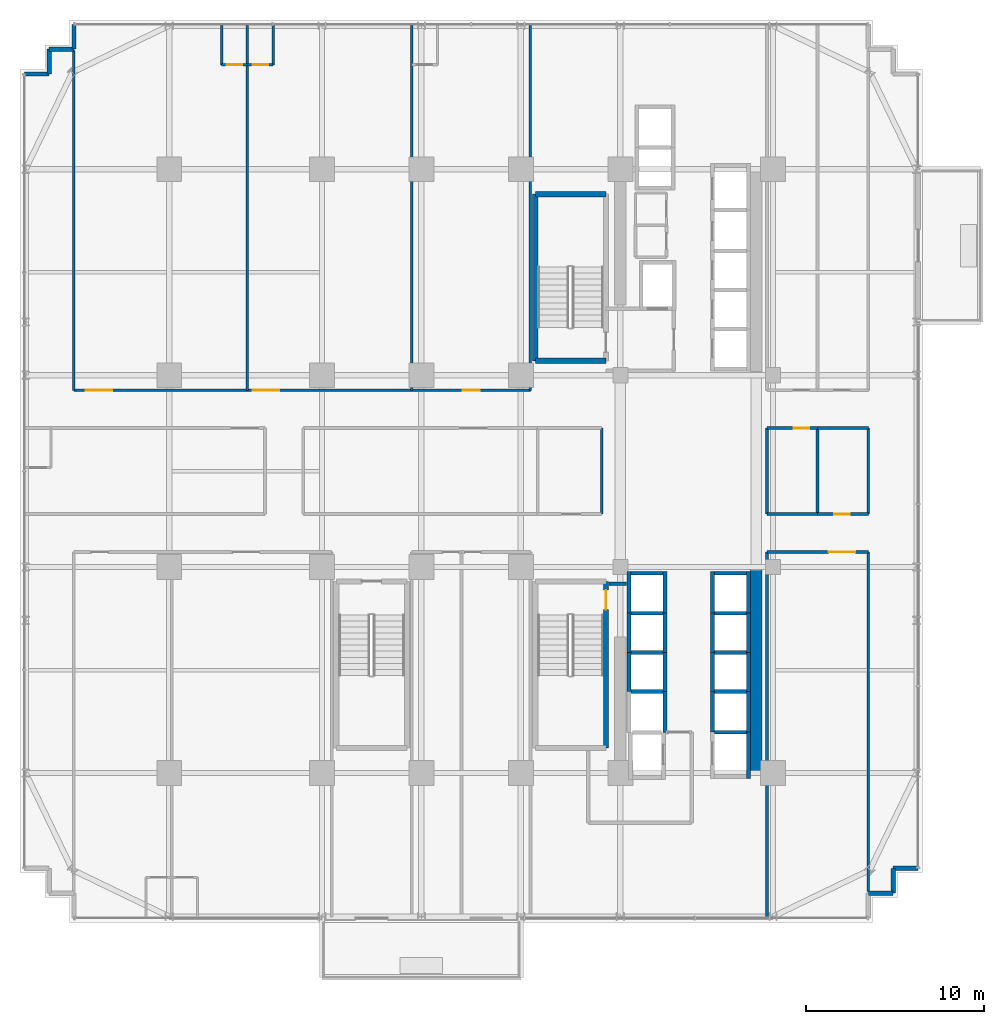
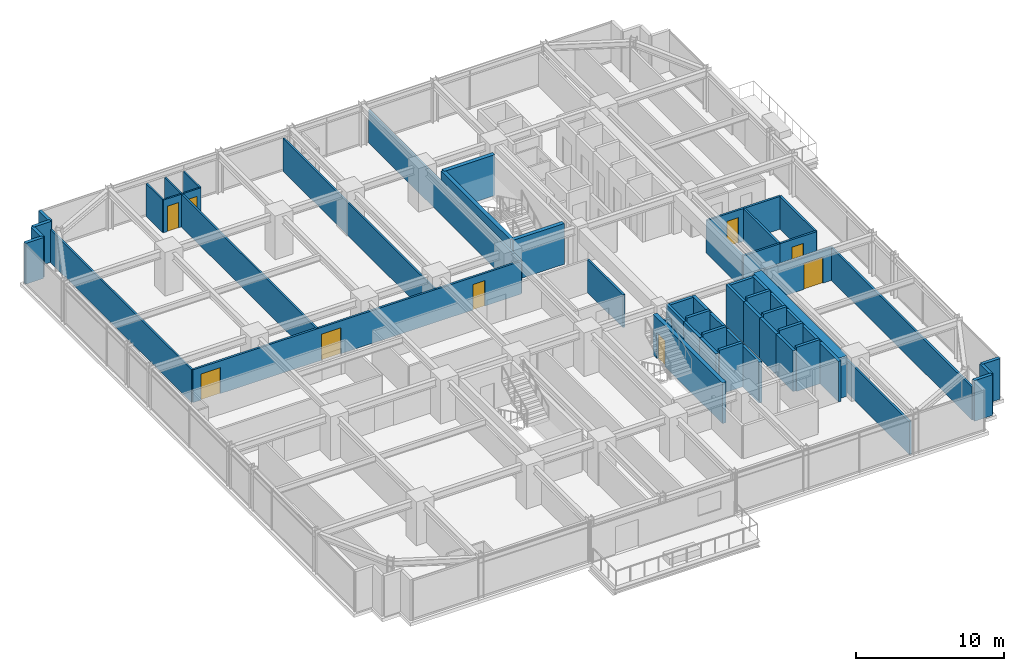
# One storey, part 31 of 36: 58 walls, 9 doors, 9 openings.
"""IFC4 building model written with IfcOpenShell, lengths in metres."""

from ifc_helpers import new_model, si_unit, direction, frame, frame_2d, origin, place, context, subcontext, project, spatial, rectangle, extrude, source, transform, mapped, material, layer, layer_set, type_object, element, fill, save


model = new_model("IFC4")

# Units and contexts
model_context = context("Model", 3, precision=1e-05, world=origin(), true_north=direction((0.0, 1.0)))
body_context = subcontext(model_context, "Body", "Model", "MODEL_VIEW")
ifc_project = project(units=[si_unit("LENGTHUNIT", "METRE"), si_unit("AREAUNIT", "SQUARE_METRE"), si_unit("VOLUMEUNIT", "CUBIC_METRE"), si_unit("PLANEANGLEUNIT", "RADIAN"), si_unit("MASSUNIT", "GRAM", prefix="KILO")], contexts=[model_context])

# Site, building, storey
site_placement = place(None, origin())
site = spatial("IfcSite", under=ifc_project, at=site_placement, CompositionType="ELEMENT")
building_placement = place(site_placement, origin())
building = spatial("IfcBuilding", under=site, at=building_placement, Name="Nahalor Promenade Grand Hotel", CompositionType="ELEMENT")
storey_placement = place(building_placement, frame((0.0, 0.0, 72.550048828125)))
storey = spatial("IfcBuildingStorey", under=building, at=storey_placement, Name="L17", CompositionType="ELEMENT", Elevation=72.550048828125)

# Walls
ifc_material_1 = material(Name="Concrete B-60 (C50/60)", Category="concrete")
ifc_layer_1 = layer(ifc_material_1, 0.64990234375)
ifc_layer_set_1 = layer_set([ifc_layer_1], Name="Concrete B-60 (C50/60)")
wall_type_1 = type_object("IfcWallType", Name="Wall-CoreShear-650", PredefinedType="SHEAR", material=ifc_layer_set_1)
shared_shape_1 = source(origin(), body_context, "Body", "SweptSolid", [
    extrude(rectangle(XDim=11.60009765625, YDim=0.64990234375, at=frame_2d((5.800048828125, 0.0))), origin(), (0.0, 0.0, 1.0), 3.369873046875),
])
wall_1_placement = place(storey_placement, frame((16.050048828125, -17.0, 0.0), z_axis=(0.0, 0.0, 1.0), x_axis=(0.0, 1.0, 0.0)))
element("IfcWall", 1, at=wall_1_placement, inside=storey, type_object=wall_type_1, Name="CWALL-L17-SE", PredefinedType="SHEAR", context=body_context, shape_type="MappedRepresentation", body=[
    mapped(shared_shape_1, transform((0.0, 0.0, 0.0), scale=1.0)),
])
ifc_material_2 = material(Name="Concrete B-50 (C40/50)", Category="concrete")
ifc_layer_2 = layer(ifc_material_2, 0.300048828125)
ifc_layer_set_2 = layer_set([ifc_layer_2], Name="Concrete B-50 (C40/50)")
wall_type_2 = type_object("IfcWallType", Name="Wall-ShaftShear-300", PredefinedType="SHEAR", material=ifc_layer_set_2)
shared_shape_2 = source(origin(), body_context, "Body", "SweptSolid", [
    extrude(rectangle(XDim=3.97998046875, YDim=0.300048828125, at=frame_2d((1.989990234375, 0.0))), origin(), (0.0, 0.0, 1.0), 3.369873046875),
])
for number, where, z_axis, x_axis, name in (
    (2, (3.610107421875, 6.2099609375, 0.0), (0.0, 0.0, 1.0), (1.0, 0.0, 0.0), "L17 Exit Stair ST1 Shaft Wall S"),
    (3, (3.610107421875, 15.590087890625, 0.0), (0.0, 0.0, 1.0), (1.0, 0.0, 0.0), "L17 Exit Stair ST1 Shaft Wall N"),
):
    element("IfcWall", number, at=place(storey_placement, frame(where, z_axis=z_axis, x_axis=x_axis)), inside=storey, type_object=wall_type_2, Name=name, PredefinedType="SHEAR", context=body_context, shape_type="MappedRepresentation", body=[
        mapped(shared_shape_2, transform((0.0, 0.0, 0.0), scale=1.0)),
    ])
shared_shape_3 = source(origin(), body_context, "Body", "SweptSolid", [
    extrude(rectangle(XDim=9.380126953125, YDim=0.300048828125, at=frame_2d((4.68994140625, 0.0))), origin(), (0.0, 0.0, 1.0), 3.369873046875),
])
wall_2_placement = place(storey_placement, frame((3.610107421875, 6.2099609375, 0.0), z_axis=(0.0, 0.0, 1.0), x_axis=(0.0, 1.0, 0.0)))
element("IfcWall", 4, at=wall_2_placement, inside=storey, type_object=wall_type_2, Name="L17 Exit Stair ST1 Shaft Wall W", PredefinedType="SHEAR", context=body_context, shape_type="MappedRepresentation", body=[
    mapped(shared_shape_3, transform((0.0, 0.0, 0.0), scale=1.0)),
])

# Wall, opening, door
wall_3_placement = place(storey_placement, frame((7.590087890625, -15.590087890625, 0.0), z_axis=(0.0, 0.0, 1.0), x_axis=(0.0, 1.0, 0.0)))
wall_3 = element("IfcWall", 5, at=wall_3_placement, inside=storey, type_object=wall_type_2, Name="L17 Exit Stair ST2 Shaft Wall E", PredefinedType="SHEAR", context=body_context, shape_type="MappedRepresentation", body=[
    mapped(shared_shape_3, transform((0.0, 0.0, 0.0), scale=1.0)),
])
opening_1_placement = place(wall_3_placement, frame((7.7900390625, 0.0, 0.0)))
opening_1 = element("IfcOpeningElement", 6, at=opening_1_placement, cuts=wall_3, Name="Opening D-ST1", PredefinedType="OPENING", context=body_context, shape_type="SweptSolid", body=[
    extrude(rectangle(XDim=1.10009765625, YDim=2.14990234375, at=frame_2d((0.550048828125, 1.074951171875))), frame((0.0, 0.159912109375, 0.0), z_axis=(0.0, -1.0, 0.0), x_axis=(1.0, 0.0, 0.0)), (0.0, 0.0, 1.0), 0.320068359375),
])
ifc_material_3 = material(Name="Steel S355JR", Category="steel")
door_type_1 = type_object("IfcDoorType", Name="Door-StairFire-1100", OperationType="NOTDEFINED", PredefinedType="DOOR", material=ifc_material_3)
shared_shape_4 = source(origin(), body_context, "Body", "SweptSolid", [
    extrude(rectangle(XDim=1.10009765625, YDim=2.14990234375, at=frame_2d((0.550048828125, 1.074951171875))), frame((0.0, 0.02490234375, 0.0), z_axis=(0.0, -1.0, 0.0), x_axis=(1.0, 0.0, 0.0)), (0.0, 0.0, 1.0), 0.050048828125),
])
door_1_placement = place(opening_1_placement, origin())
door_1 = element("IfcDoor", 7, at=door_1_placement, inside=storey, type_object=door_type_1, Name="DR-STAIR-ST2-L17", OperationType="SINGLE_SWING_RIGHT", OverallHeight=2.14990234375, OverallWidth=1.10009765625, PredefinedType="DOOR", context=body_context, shape_type="MappedRepresentation", body=[
    mapped(shared_shape_4, transform((0.0, 0.0, 0.0), scale=1.0)),
])
fill(opening_1, door_1)

# Walls
ifc_layer_3 = layer(ifc_material_2, 0.219970703125)
ifc_layer_set_3 = layer_set([ifc_layer_3], Name="Concrete B-50 (C40/50)")
wall_type_3 = type_object("IfcWallType", Name="Wall-LiftShaft-220", PredefinedType="SHEAR", material=ifc_layer_set_3)
shared_shape_5 = source(origin(), body_context, "Body", "SweptSolid", [
    extrude(rectangle(XDim=2.360107421875, YDim=0.219970703125, at=frame_2d((1.18017578125, 0.0))), origin(), (0.0, 0.0, 1.0), 3.369873046875),
])
for number, where, z_axis, x_axis, name in (
    (8, (13.580078125, -8.0, 0.0), (0.0, 0.0, 1.0), (0.0, 1.0, 0.0), "L17 Lift PL5 Hoistway Wall W"),
    (9, (15.6201171875, -8.0, 0.0), (0.0, 0.0, 1.0), (0.0, 1.0, 0.0), "L17 Lift PL5 Hoistway Wall E"),
    (10, (8.8798828125, -8.0, 0.0), (0.0, 0.0, 1.0), (0.0, 1.0, 0.0), "L17 Lift PL9 Hoistway Wall W"),
    (11, (10.919921875, -8.0, 0.0), (0.0, 0.0, 1.0), (0.0, 1.0, 0.0), "L17 Lift PL9 Hoistway Wall E"),
):
    element("IfcWall", number, at=place(storey_placement, frame(where, z_axis=z_axis, x_axis=x_axis)), inside=storey, type_object=wall_type_3, Name=name, PredefinedType="SHEAR", context=body_context, shape_type="MappedRepresentation", body=[
        mapped(shared_shape_5, transform((0.0, 0.0, 0.0), scale=1.0)),
    ])
shared_shape_6 = source(origin(), body_context, "Body", "SweptSolid", [
    extrude(rectangle(XDim=1.820068359375, YDim=0.219970703125, at=frame_2d((0.91015625, 0.0))), origin(), (0.0, 0.0, 1.0), 3.369873046875),
])
for number, where, z_axis, x_axis, name in (
    (12, (13.68994140625, -5.75, 0.0), (0.0, 0.0, 1.0), (1.0, 0.0, 0.0), "L17 Lift PL5 Hoistway Wall N"),
    (13, (8.989990234375, -5.75, 0.0), (0.0, 0.0, 1.0), (1.0, 0.0, 0.0), "L17 Lift PL9 Hoistway Wall N"),
):
    element("IfcWall", number, at=place(storey_placement, frame(where, z_axis=z_axis, x_axis=x_axis)), inside=storey, type_object=wall_type_3, Name=name, PredefinedType="SHEAR", context=body_context, shape_type="MappedRepresentation", body=[
        mapped(shared_shape_6, transform((0.0, 0.0, 0.0), scale=1.0)),
    ])
shared_shape_7 = source(origin(), body_context, "Body", "SweptSolid", [
    extrude(rectangle(XDim=1.820068359375, YDim=0.219970703125, at=frame_2d((0.91015625, 0.0))), origin(), (0.0, 0.0, 1.0), 3.64990234375),
])
for number, where, z_axis, x_axis, name in (
    (14, (13.68994140625, -8.0, 0.0), (0.0, 0.0, 1.0), (1.0, 0.0, 0.0), "L17 Lift PL6 Hoistway Wall N"),
    (15, (13.68994140625, -10.199951171875, 0.0), (0.0, 0.0, 1.0), (1.0, 0.0, 0.0), "L17 Lift PL7 Hoistway Wall N"),
    (16, (13.68994140625, -12.39990234375, 0.0), (0.0, 0.0, 1.0), (1.0, 0.0, 0.0), "L17 Lift PL8 Hoistway Wall N"),
    (17, (8.989990234375, -8.0, 0.0), (0.0, 0.0, 1.0), (1.0, 0.0, 0.0), "L17 Lift PL10 Hoistway Wall N"),
    (18, (8.989990234375, -10.199951171875, 0.0), (0.0, 0.0, 1.0), (1.0, 0.0, 0.0), "L17 Lift PL11 Hoistway Wall N"),
    (19, (8.989990234375, -12.39990234375, 0.0), (0.0, 0.0, 1.0), (1.0, 0.0, 0.0), "L17 Lift PL12 Hoistway Wall N"),
    (20, (13.68994140625, -14.699951171875, 0.0), (0.0, 0.0, 1.0), (1.0, 0.0, 0.0), "L17 Lift SV2 Hoistway Wall N"),
):
    element("IfcWall", number, at=place(storey_placement, frame(where, z_axis=z_axis, x_axis=x_axis)), inside=storey, type_object=wall_type_3, Name=name, PredefinedType="SHEAR", context=body_context, shape_type="MappedRepresentation", body=[
        mapped(shared_shape_7, transform((0.0, 0.0, 0.0), scale=1.0)),
    ])
shared_shape_8 = source(origin(), body_context, "Body", "SweptSolid", [
    extrude(rectangle(XDim=2.199951171875, YDim=0.219970703125, at=frame_2d((1.10009765625, 0.0))), origin(), (0.0, 0.0, 1.0), 3.369873046875),
])
for number, where, z_axis, x_axis, name in (
    (21, (13.580078125, -10.199951171875, 0.0), (0.0, 0.0, 1.0), (0.0, 1.0, 0.0), "L17 Lift PL6 Hoistway Wall W"),
    (22, (15.6201171875, -10.199951171875, 0.0), (0.0, 0.0, 1.0), (0.0, 1.0, 0.0), "L17 Lift PL6 Hoistway Wall E"),
    (23, (13.580078125, -12.39990234375, 0.0), (0.0, 0.0, 1.0), (0.0, 1.0, 0.0), "L17 Lift PL7 Hoistway Wall W"),
    (24, (15.6201171875, -12.39990234375, 0.0), (0.0, 0.0, 1.0), (0.0, 1.0, 0.0), "L17 Lift PL7 Hoistway Wall E"),
    (25, (8.8798828125, -10.199951171875, 0.0), (0.0, 0.0, 1.0), (0.0, 1.0, 0.0), "L17 Lift PL10 Hoistway Wall W"),
    (26, (10.919921875, -10.199951171875, 0.0), (0.0, 0.0, 1.0), (0.0, 1.0, 0.0), "L17 Lift PL10 Hoistway Wall E"),
    (27, (8.8798828125, -12.39990234375, 0.0), (0.0, 0.0, 1.0), (0.0, 1.0, 0.0), "L17 Lift PL11 Hoistway Wall W"),
    (28, (10.919921875, -12.39990234375, 0.0), (0.0, 0.0, 1.0), (0.0, 1.0, 0.0), "L17 Lift PL11 Hoistway Wall E"),
):
    element("IfcWall", number, at=place(storey_placement, frame(where, z_axis=z_axis, x_axis=x_axis)), inside=storey, type_object=wall_type_3, Name=name, PredefinedType="SHEAR", context=body_context, shape_type="MappedRepresentation", body=[
        mapped(shared_shape_8, transform((0.0, 0.0, 0.0), scale=1.0)),
    ])
shared_shape_9 = source(origin(), body_context, "Body", "SweptSolid", [
    extrude(rectangle(XDim=2.300048828125, YDim=0.219970703125, at=frame_2d((1.14990234375, 0.0))), origin(), (0.0, 0.0, 1.0), 3.369873046875),
])
for number, where, z_axis, x_axis, name in (
    (29, (13.580078125, -14.699951171875, 0.0), (0.0, 0.0, 1.0), (0.0, 1.0, 0.0), "L17 Lift PL8 Hoistway Wall W"),
    (30, (15.6201171875, -14.699951171875, 0.0), (0.0, 0.0, 1.0), (0.0, 1.0, 0.0), "L17 Lift PL8 Hoistway Wall E"),
):
    element("IfcWall", number, at=place(storey_placement, frame(where, z_axis=z_axis, x_axis=x_axis)), inside=storey, type_object=wall_type_3, Name=name, PredefinedType="SHEAR", context=body_context, shape_type="MappedRepresentation", body=[
        mapped(shared_shape_9, transform((0.0, 0.0, 0.0), scale=1.0)),
    ])
shared_shape_10 = source(origin(), body_context, "Body", "SweptSolid", [
    extrude(rectangle(XDim=2.3251953125, YDim=0.219970703125, at=frame_2d((1.16259765625, 0.0))), origin(), (0.0, 0.0, 1.0), 3.369873046875),
])
wall_4_placement = place(storey_placement, frame((10.919921875, -14.72509765625, 0.0), z_axis=(0.0, 0.0, 1.0), x_axis=(0.0, 1.0, 0.0)))
element("IfcWall", 31, at=wall_4_placement, inside=storey, type_object=wall_type_3, Name="L17 Lift PL12 Hoistway Wall E", PredefinedType="SHEAR", context=body_context, shape_type="MappedRepresentation", body=[
    mapped(shared_shape_10, transform((0.0, 0.0, 0.0), scale=1.0)),
])
shared_shape_11 = source(origin(), body_context, "Body", "SweptSolid", [
    extrude(rectangle(XDim=2.610107421875, YDim=0.219970703125, at=frame_2d((1.30517578125, 0.0))), origin(), (0.0, 0.0, 1.0), 3.369873046875),
])
wall_5_placement = place(storey_placement, frame((15.6201171875, -17.31005859375, 0.0), z_axis=(0.0, 0.0, 1.0), x_axis=(0.0, 1.0, 0.0)))
element("IfcWall", 32, at=wall_5_placement, inside=storey, type_object=wall_type_3, Name="L17 Lift SV2 Hoistway Wall E", PredefinedType="SHEAR", context=body_context, shape_type="MappedRepresentation", body=[
    mapped(shared_shape_11, transform((0.0, 0.0, 0.0), scale=1.0)),
])
ifc_material_4 = material(Name="Concrete B-40 (C32/40)", Category="concrete")
ifc_layer_4 = layer(ifc_material_4, 0.25)
ifc_layer_set_4 = layer_set([ifc_layer_4], Name="Concrete B-40 (C32/40)")
wall_type_4 = type_object("IfcWallType", Name="Wall-BronzePier-250", PredefinedType="STANDARD", material=ifc_layer_set_4)
shared_shape_12 = source(origin(), body_context, "Body", "SweptSolid", [
    extrude(rectangle(XDim=1.39990234375, YDim=0.25, at=frame_2d((0.699951171875, 0.0))), origin(), (0.0, 0.0, 1.0), 3.369873046875),
])
for number, where, z_axis, x_axis, name in (
    (33, (22.360107421875, -23.760009765625, 0.0), (0.0, 0.0, 1.0), (1.0, 0.0, 0.0), "W-L17-SR-02"),
    (34, (23.760009765625, -23.760009765625, 0.0), (0.0, 0.0, 1.0), (0.0, 1.0, 0.0), "W-L17-SR-03"),
    (35, (23.760009765625, -22.360107421875, 0.0), (0.0, 0.0, 1.0), (1.0, 0.0, 0.0), "W-L17-SR-04"),
    (36, (-22.360107421875, 23.760009765625, 0.0), (0.0, 0.0, 1.0), (0.0, 1.0, 0.0), "W-L17-SR-09"),
    (37, (-23.760009765625, 23.760009765625, 0.0), (0.0, 0.0, 1.0), (1.0, 0.0, 0.0), "W-L17-SR-10"),
    (38, (-23.760009765625, 22.360107421875, 0.0), (0.0, 0.0, 1.0), (0.0, 1.0, 0.0), "W-L17-SR-11"),
    (39, (-25.159912109375, 22.360107421875, 0.0), (0.0, 0.0, 1.0), (1.0, 0.0, 0.0), "W-L17-SR-12"),
):
    element("IfcWall", number, at=place(storey_placement, frame(where, z_axis=z_axis, x_axis=x_axis)), inside=storey, type_object=wall_type_4, Name=name, PredefinedType="STANDARD", context=body_context, shape_type="MappedRepresentation", body=[
        mapped(shared_shape_12, transform((0.0, 0.0, 0.0), scale=1.0)),
    ])
ifc_layer_5 = layer(ifc_material_4, 0.199951171875)
ifc_layer_set_5 = layer_set([ifc_layer_5], Name="Concrete B-40 (C32/40)")
wall_type_5 = type_object("IfcWallType", Name="Wall-PartFire-200", PredefinedType="PARTITIONING", material=ifc_layer_set_5)
shared_shape_13 = source(origin(), body_context, "Body", "SweptSolid", [
    extrude(rectangle(XDim=0.969970703125, YDim=0.199951171875, at=frame_2d((0.48486328125, 0.0))), origin(), (0.0, 0.0, 1.0), 2.7099609375),
])
wall_6_placement = place(storey_placement, frame((7.77001953125, -6.35009765625, 0.0), z_axis=(0.0, 0.0, 1.0), x_axis=(1.0, 0.0, 0.0)))
element("IfcWall", 40, at=wall_6_placement, inside=storey, type_object=wall_type_5, Name="W-L17-FF2-N2", PredefinedType="PARTITIONING", context=body_context, shape_type="MappedRepresentation", body=[
    mapped(shared_shape_13, transform((0.0, 0.0, 0.0), scale=1.0)),
])

# Wall, opening, door
ifc_material_5 = material(Name="Acoustic Mineral Gypsum", Category="gypsum")
ifc_layer_6 = layer(ifc_material_5, 0.159912109375)
ifc_layer_set_6 = layer_set([ifc_layer_6], Name="Acoustic Mineral Gypsum")
wall_type_6 = type_object("IfcWallType", Name="Wall-PartCorridor-160", PredefinedType="PARTITIONING", material=ifc_layer_set_6)
shared_shape_14 = source(origin(), body_context, "Body", "SweptSolid", [
    extrude(rectangle(XDim=5.710205078125, YDim=0.159912109375, at=frame_2d((2.85498046875, 0.0))), origin(), (0.0, 0.0, 1.0), 2.7099609375),
])
wall_7_placement = place(storey_placement, frame((16.64990234375, -4.550048828125, 0.0), z_axis=(0.0, 0.0, 1.0), x_axis=(1.0, 0.0, 0.0)))
wall_7 = element("IfcWall", 41, at=wall_7_placement, inside=storey, type_object=wall_type_6, Name="W-L17-ESE-N", PredefinedType="PARTITIONING", context=body_context, shape_type="MappedRepresentation", body=[
    mapped(shared_shape_14, transform((0.0, 0.0, 0.0), scale=1.0)),
])
opening_2_placement = place(wall_7_placement, frame((3.47900390625, 0.0, 0.0)))
opening_2 = element("IfcOpeningElement", 42, at=opening_2_placement, cuts=wall_7, Name="Opening D-02", PredefinedType="OPENING", context=body_context, shape_type="SweptSolid", body=[
    extrude(rectangle(XDim=1.5, YDim=2.14990234375, at=frame_2d((0.75, 1.074951171875))), frame((0.0, 0.08984375, 0.0), z_axis=(0.0, -1.0, 0.0), x_axis=(1.0, 0.0, 0.0)), (0.0, 0.0, 1.0), 0.179931640625),
])
ifc_material_6 = material(Name="Fire-Rated Timber Composite", Category="wood")
door_type_2 = type_object("IfcDoorType", Name="Door-SuiteDouble-1500", OperationType="DOUBLE_DOOR_SINGLE_SWING", PredefinedType="DOOR", material=ifc_material_6)
shared_shape_15 = source(origin(), body_context, "Body", "SweptSolid", [
    extrude(rectangle(XDim=1.5, YDim=2.14990234375, at=frame_2d((0.75, 1.074951171875))), frame((0.0, 0.02490234375, 0.0), z_axis=(0.0, -1.0, 0.0), x_axis=(1.0, 0.0, 0.0)), (0.0, 0.0, 1.0), 0.050048828125),
])
door_2_placement = place(opening_2_placement, frame((1.5, 0.0, 0.0), z_axis=(0.0, 0.0, 1.0), x_axis=(-1.0, 0.0, 0.0)))
door_2 = element("IfcDoor", 43, at=door_2_placement, inside=storey, type_object=door_type_2, Name="DR-L17-ESE", OperationType="DOUBLE_DOOR_SINGLE_SWING", OverallHeight=2.14990234375, OverallWidth=1.5, PredefinedType="DOOR", context=body_context, shape_type="MappedRepresentation", body=[
    mapped(shared_shape_15, transform((0.0, 0.0, 0.0), scale=1.0)),
])
fill(opening_2, door_2)

# Walls
shared_shape_16 = source(origin(), body_context, "Body", "SweptSolid", [
    extrude(rectangle(XDim=20.550048828125, YDim=0.159912109375, at=frame_2d((10.27490234375, 0.0))), origin(), (0.0, 0.0, 1.0), 2.7099609375),
])
wall_8_placement = place(storey_placement, frame((16.64990234375, -25.10009765625, 0.0), z_axis=(0.0, 0.0, 1.0), x_axis=(0.0, 1.0, 0.0)))
element("IfcWall", 44, at=wall_8_placement, inside=storey, type_object=wall_type_6, Name="W-L17-ESE-W", PredefinedType="PARTITIONING", context=body_context, shape_type="MappedRepresentation", body=[
    mapped(shared_shape_16, transform((0.0, 0.0, 0.0), scale=1.0)),
])
shared_shape_17 = source(origin(), body_context, "Body", "SweptSolid", [
    extrude(rectangle(XDim=19.1298828125, YDim=0.159912109375, at=frame_2d((9.56494140625, 0.0))), origin(), (0.0, 0.0, 1.0), 2.7099609375),
])
wall_9_placement = place(storey_placement, frame((22.360107421875, -23.679931640625, 0.0), z_axis=(0.0, 0.0, 1.0), x_axis=(0.0, 1.0, 0.0)))
element("IfcWall", 45, at=wall_9_placement, inside=storey, type_object=wall_type_6, Name="W-L17-ESE-E", PredefinedType="PARTITIONING", context=body_context, shape_type="MappedRepresentation", body=[
    mapped(shared_shape_17, transform((0.0, 0.0, 0.0), scale=1.0)),
])

# Wall, openings, doors
shared_shape_18 = source(origin(), body_context, "Body", "SweptSolid", [
    extrude(rectangle(XDim=25.7001953125, YDim=0.159912109375, at=frame_2d((12.85009765625, 0.0))), origin(), (0.0, 0.0, 1.0), 2.7099609375),
])
wall_10_placement = place(storey_placement, frame((-22.360107421875, 4.550048828125, 0.0), z_axis=(0.0, 0.0, 1.0), x_axis=(1.0, 0.0, 0.0)))
wall_10 = element("IfcWall", 46, at=wall_10_placement, inside=storey, type_object=wall_type_6, Name="W-L17-CORR-N", PredefinedType="PARTITIONING", context=body_context, shape_type="MappedRepresentation", body=[
    mapped(shared_shape_18, transform((0.0, 0.0, 0.0), scale=1.0)),
])
opening_3_placement = place(wall_10_placement, frame((0.652099609375, 0.0, 0.0)))
opening_3 = element("IfcOpeningElement", 47, at=opening_3_placement, cuts=wall_10, Name="Opening D-02", PredefinedType="OPENING", context=body_context, shape_type="SweptSolid", body=[
    extrude(rectangle(XDim=1.5, YDim=2.14990234375, at=frame_2d((0.75, 1.074951171875))), frame((0.0, 0.08984375, 0.0), z_axis=(0.0, -1.0, 0.0), x_axis=(1.0, 0.0, 0.0)), (0.0, 0.0, 1.0), 0.179931640625),
])
opening_4_placement = place(wall_10_placement, frame((10.05908203125, 0.0, 0.0)))
opening_4 = element("IfcOpeningElement", 48, at=opening_4_placement, cuts=wall_10, Name="Opening D-02", PredefinedType="OPENING", context=body_context, shape_type="SweptSolid", body=[
    extrude(rectangle(XDim=1.5, YDim=2.14990234375, at=frame_2d((0.75, 1.074951171875))), frame((0.0, 0.08984375, 0.0), z_axis=(0.0, -1.0, 0.0), x_axis=(1.0, 0.0, 0.0)), (0.0, 0.0, 1.0), 0.179931640625),
])
opening_5_placement = place(wall_10_placement, frame((21.884033203125, 0.0, 0.0)))
opening_5 = element("IfcOpeningElement", 49, at=opening_5_placement, cuts=wall_10, Name="Opening D-01", PredefinedType="OPENING", context=body_context, shape_type="SweptSolid", body=[
    extrude(rectangle(XDim=0.949951171875, YDim=2.10009765625, at=frame_2d((0.47509765625, 1.050048828125))), frame((0.0, 0.08984375, 0.0), z_axis=(0.0, -1.0, 0.0), x_axis=(1.0, 0.0, 0.0)), (0.0, 0.0, 1.0), 0.179931640625),
])
door_3_placement = place(opening_3_placement, origin())
door_3 = element("IfcDoor", 50, at=door_3_placement, inside=storey, type_object=door_type_2, Name="DR-L17-N1-ENT", OperationType="DOUBLE_DOOR_SINGLE_SWING", OverallHeight=2.14990234375, OverallWidth=1.5, PredefinedType="DOOR", context=body_context, shape_type="MappedRepresentation", body=[
    mapped(shared_shape_15, transform((0.0, 0.0, 0.0), scale=1.0)),
])
fill(opening_3, door_3)
door_4_placement = place(opening_4_placement, origin())
door_4 = element("IfcDoor", 51, at=door_4_placement, inside=storey, type_object=door_type_2, Name="DR-L17-N2-ENT", OperationType="DOUBLE_DOOR_SINGLE_SWING", OverallHeight=2.14990234375, OverallWidth=1.5, PredefinedType="DOOR", context=body_context, shape_type="MappedRepresentation", body=[
    mapped(shared_shape_15, transform((0.0, 0.0, 0.0), scale=1.0)),
])
fill(opening_4, door_4)
door_type_3 = type_object("IfcDoorType", Name="Door-GuestEntry-950", OperationType="NOTDEFINED", PredefinedType="DOOR", material=ifc_material_6)
shared_shape_19 = source(origin(), body_context, "Body", "SweptSolid", [
    extrude(rectangle(XDim=0.949951171875, YDim=2.10009765625, at=frame_2d((0.47509765625, 1.050048828125))), frame((0.0, 0.02490234375, 0.0), z_axis=(0.0, -1.0, 0.0), x_axis=(1.0, 0.0, 0.0)), (0.0, 0.0, 1.0), 0.050048828125),
])
door_5_placement = place(opening_5_placement, origin())
door_5 = element("IfcDoor", 52, at=door_5_placement, inside=storey, type_object=door_type_3, Name="DR-L17-N3-ENT", OperationType="SINGLE_SWING_LEFT", OverallHeight=2.10009765625, OverallWidth=0.949951171875, PredefinedType="DOOR", context=body_context, shape_type="MappedRepresentation", body=[
    mapped(shared_shape_19, transform((0.0, 0.0, 0.0), scale=1.0)),
])
fill(opening_5, door_5)

# Walls
ifc_layer_7 = layer(ifc_material_5, 0.139892578125)
ifc_layer_set_7 = layer_set([ifc_layer_7], Name="Acoustic Mineral Gypsum")
wall_type_7 = type_object("IfcWallType", Name="Wall-PartSuite-140", PredefinedType="PARTITIONING", material=ifc_layer_set_7)
shared_shape_20 = source(origin(), body_context, "Body", "SweptSolid", [
    extrude(rectangle(XDim=19.1298828125, YDim=0.139892578125, at=frame_2d((9.56494140625, 0.0))), origin(), (0.0, 0.0, 1.0), 2.7099609375),
])
wall_11_placement = place(storey_placement, frame((-22.360107421875, 4.550048828125, 0.0), z_axis=(0.0, 0.0, 1.0), x_axis=(0.0, 1.0, 0.0)))
element("IfcWall", 53, at=wall_11_placement, inside=storey, type_object=wall_type_7, Name="W-L17-NW-ENDW", PredefinedType="PARTITIONING", context=body_context, shape_type="MappedRepresentation", body=[
    mapped(shared_shape_20, transform((0.0, 0.0, 0.0), scale=1.0)),
])
shared_shape_21 = source(origin(), body_context, "Body", "SweptSolid", [
    extrude(rectangle(XDim=20.550048828125, YDim=0.139892578125, at=frame_2d((10.27490234375, 0.0))), origin(), (0.0, 0.0, 1.0), 2.7099609375),
])
for number, where, z_axis, x_axis, name in (
    (54, (3.340087890625, 4.550048828125, 0.0), (0.0, 0.0, 1.0), (0.0, 1.0, 0.0), "W-L17-NW-ENDE"),
    (55, (-12.593994140625, 4.550048828125, 0.0), (0.0, 0.0, 1.0), (0.0, 1.0, 0.0), "W-L17-NP-1"),
    (56, (-3.342041015625, 4.550048828125, 0.0), (0.0, 0.0, 1.0), (0.0, 1.0, 0.0), "W-L17-NP-2"),
):
    element("IfcWall", number, at=place(storey_placement, frame(where, z_axis=z_axis, x_axis=x_axis)), inside=storey, type_object=wall_type_7, Name=name, PredefinedType="PARTITIONING", context=body_context, shape_type="MappedRepresentation", body=[
        mapped(shared_shape_21, transform((0.0, 0.0, 0.0), scale=1.0)),
    ])
ifc_layer_8 = layer(ifc_material_5, 0.1201171875)
ifc_layer_set_8 = layer_set([ifc_layer_8], Name="Acoustic Mineral Gypsum")
wall_type_8 = type_object("IfcWallType", Name="Wall-PartBath-120", PredefinedType="PARTITIONING", material=ifc_layer_set_8)
shared_shape_22 = source(origin(), body_context, "Body", "SweptSolid", [
    extrude(rectangle(XDim=2.22021484375, YDim=0.1201171875, at=frame_2d((1.110107421875, 0.0))), origin(), (0.0, 0.0, 1.0), 2.7099609375),
])
for number, where, z_axis, x_axis, name in (
    (57, (-14.0439453125, 22.8798828125, 0.0), (0.0, 0.0, 1.0), (0.0, 1.0, 0.0), "W-L17-N1-BV"),
    (58, (-11.14404296875, 22.8798828125, 0.0), (0.0, 0.0, 1.0), (0.0, 1.0, 0.0), "W-L17-N2-BV"),
):
    element("IfcWall", number, at=place(storey_placement, frame(where, z_axis=z_axis, x_axis=x_axis)), inside=storey, type_object=wall_type_8, Name=name, PredefinedType="PARTITIONING", context=body_context, shape_type="MappedRepresentation", body=[
        mapped(shared_shape_22, transform((0.0, 0.0, 0.0), scale=1.0)),
    ])

# Wall, opening, door
shared_shape_23 = source(origin(), body_context, "Body", "SweptSolid", [
    extrude(rectangle(XDim=1.449951171875, YDim=0.1201171875, at=frame_2d((0.72509765625, 0.0))), origin(), (0.0, 0.0, 1.0), 2.7099609375),
])
wall_12_placement = place(storey_placement, frame((-14.0439453125, 22.8798828125, 0.0), z_axis=(0.0, 0.0, 1.0), x_axis=(1.0, 0.0, 0.0)))
wall_12 = element("IfcWall", 59, at=wall_12_placement, inside=storey, type_object=wall_type_8, Name="W-L17-N1-BH", PredefinedType="PARTITIONING", context=body_context, shape_type="MappedRepresentation", body=[
    mapped(shared_shape_23, transform((0.0, 0.0, 0.0), scale=1.0)),
])
opening_6_placement = place(wall_12_placement, frame((0.284912109375, 0.0, 0.0)))
opening_6 = element("IfcOpeningElement", 60, at=opening_6_placement, cuts=wall_12, Name="Opening D-03", PredefinedType="OPENING", context=body_context, shape_type="SweptSolid", body=[
    extrude(rectangle(XDim=0.8798828125, YDim=2.10009765625, at=frame_2d((0.43994140625, 1.050048828125))), frame((0.0, 0.070068359375, 0.0), z_axis=(0.0, -1.0, 0.0), x_axis=(1.0, 0.0, 0.0)), (0.0, 0.0, 1.0), 0.14013671875),
])
door_type_4 = type_object("IfcDoorType", Name="Door-BathSwing-880", OperationType="NOTDEFINED", PredefinedType="DOOR", material=ifc_material_6)
shared_shape_24 = source(origin(), body_context, "Body", "SweptSolid", [
    extrude(rectangle(XDim=0.8798828125, YDim=2.10009765625, at=frame_2d((0.43994140625, 1.050048828125))), frame((0.0, 0.02490234375, 0.0), z_axis=(0.0, -1.0, 0.0), x_axis=(1.0, 0.0, 0.0)), (0.0, 0.0, 1.0), 0.050048828125),
])
door_6_placement = place(opening_6_placement, origin())
door_6 = element("IfcDoor", 61, at=door_6_placement, inside=storey, type_object=door_type_4, Name="DR-L17-N1-BATH", OperationType="SINGLE_SWING_RIGHT", OverallHeight=2.10009765625, OverallWidth=0.8798828125, PredefinedType="DOOR", context=body_context, shape_type="MappedRepresentation", body=[
    mapped(shared_shape_24, transform((0.0, 0.0, 0.0), scale=1.0)),
])
fill(opening_6, door_6)

wall_13_placement = place(storey_placement, frame((-12.593994140625, 22.8798828125, 0.0), z_axis=(0.0, 0.0, 1.0), x_axis=(1.0, 0.0, 0.0)))
wall_13 = element("IfcWall", 62, at=wall_13_placement, inside=storey, type_object=wall_type_8, Name="W-L17-N2-BH", PredefinedType="PARTITIONING", context=body_context, shape_type="MappedRepresentation", body=[
    mapped(shared_shape_23, transform((0.0, 0.0, 0.0), scale=1.0)),
])
opening_7_placement = place(wall_13_placement, frame((0.284912109375, 0.0, 0.0)))
opening_7 = element("IfcOpeningElement", 63, at=opening_7_placement, cuts=wall_13, Name="Opening D-03", PredefinedType="OPENING", context=body_context, shape_type="SweptSolid", body=[
    extrude(rectangle(XDim=0.8798828125, YDim=2.10009765625, at=frame_2d((0.43994140625, 1.050048828125))), frame((0.0, 0.070068359375, 0.0), z_axis=(0.0, -1.0, 0.0), x_axis=(1.0, 0.0, 0.0)), (0.0, 0.0, 1.0), 0.14013671875),
])
door_7_placement = place(opening_7_placement, origin())
door_7 = element("IfcDoor", 64, at=door_7_placement, inside=storey, type_object=door_type_4, Name="DR-L17-N2-BATH", OperationType="SINGLE_SWING_LEFT", OverallHeight=2.10009765625, OverallWidth=0.8798828125, PredefinedType="DOOR", context=body_context, shape_type="MappedRepresentation", body=[
    mapped(shared_shape_24, transform((0.0, 0.0, 0.0), scale=1.0)),
])
fill(opening_7, door_7)

# Walls
shared_shape_25 = source(origin(), body_context, "Body", "SweptSolid", [
    extrude(rectangle(XDim=4.83984375, YDim=0.159912109375, at=frame_2d((2.419921875, 0.0))), origin(), (0.0, 0.0, 1.0), 2.7099609375),
])
for number, where, z_axis, x_axis, name in (
    (65, (7.35009765625, -2.419921875, 0.0), (0.0, 0.0, 1.0), (0.0, 1.0, 0.0), "W-L17-CM2-E"),
    (66, (16.64990234375, -2.419921875, 0.0), (0.0, 0.0, 1.0), (0.0, 1.0, 0.0), "W-L17-ECW1-W"),
    (67, (19.5048828125, -2.419921875, 0.0), (0.0, 0.0, 1.0), (0.0, 1.0, 0.0), "W-L17-ECW1-E"),
    (68, (22.360107421875, -2.419921875, 0.0), (0.0, 0.0, 1.0), (0.0, 1.0, 0.0), "W-L17-ECW2-E"),
):
    element("IfcWall", number, at=place(storey_placement, frame(where, z_axis=z_axis, x_axis=x_axis)), inside=storey, type_object=wall_type_6, Name=name, PredefinedType="PARTITIONING", context=body_context, shape_type="MappedRepresentation", body=[
        mapped(shared_shape_25, transform((0.0, 0.0, 0.0), scale=1.0)),
    ])
shared_shape_26 = source(origin(), body_context, "Body", "SweptSolid", [
    extrude(rectangle(XDim=2.85498046875, YDim=0.159912109375, at=frame_2d((1.427490234375, 0.0))), origin(), (0.0, 0.0, 1.0), 2.7099609375),
])
wall_14_placement = place(storey_placement, frame((16.64990234375, -2.419921875, 0.0), z_axis=(0.0, 0.0, 1.0), x_axis=(1.0, 0.0, 0.0)))
element("IfcWall", 69, at=wall_14_placement, inside=storey, type_object=wall_type_6, Name="W-L17-ECW1-S", PredefinedType="PARTITIONING", context=body_context, shape_type="MappedRepresentation", body=[
    mapped(shared_shape_26, transform((0.0, 0.0, 0.0), scale=1.0)),
])

# Wall, opening, door
wall_15_placement = place(storey_placement, frame((16.64990234375, 2.419921875, 0.0), z_axis=(0.0, 0.0, 1.0), x_axis=(1.0, 0.0, 0.0)))
wall_15 = element("IfcWall", 70, at=wall_15_placement, inside=storey, type_object=wall_type_6, Name="W-L17-ECW1-N", PredefinedType="PARTITIONING", context=body_context, shape_type="MappedRepresentation", body=[
    mapped(shared_shape_26, transform((0.0, 0.0, 0.0), scale=1.0)),
])
opening_8_placement = place(wall_15_placement, frame((1.510986328125, 0.0, 0.0)))
opening_8 = element("IfcOpeningElement", 71, at=opening_8_placement, cuts=wall_15, Name="Opening D-03", PredefinedType="OPENING", context=body_context, shape_type="SweptSolid", body=[
    extrude(rectangle(XDim=0.8798828125, YDim=2.10009765625, at=frame_2d((0.43994140625, 1.050048828125))), frame((0.0, 0.08984375, 0.0), z_axis=(0.0, -1.0, 0.0), x_axis=(1.0, 0.0, 0.0)), (0.0, 0.0, 1.0), 0.179931640625),
])
door_8_placement = place(opening_8_placement, frame((0.8798828125, 0.0, 0.0), z_axis=(0.0, 0.0, 1.0), x_axis=(-1.0, 0.0, 0.0)))
door_8 = element("IfcDoor", 72, at=door_8_placement, inside=storey, type_object=door_type_4, Name="DR-L17-ECW1", OperationType="SINGLE_SWING_LEFT", OverallHeight=2.10009765625, OverallWidth=0.8798828125, PredefinedType="DOOR", context=body_context, shape_type="MappedRepresentation", body=[
    mapped(shared_shape_24, transform((0.0, 0.0, 0.0), scale=1.0)),
])
fill(opening_8, door_8)

shared_shape_27 = source(origin(), body_context, "Body", "SweptSolid", [
    extrude(rectangle(XDim=2.855224609375, YDim=0.159912109375, at=frame_2d((1.427734375, 0.0))), origin(), (0.0, 0.0, 1.0), 2.7099609375),
])
wall_16_placement = place(storey_placement, frame((19.5048828125, -2.419921875, 0.0), z_axis=(0.0, 0.0, 1.0), x_axis=(1.0, 0.0, 0.0)))
wall_16 = element("IfcWall", 73, at=wall_16_placement, inside=storey, type_object=wall_type_6, Name="W-L17-ECW2-S", PredefinedType="PARTITIONING", context=body_context, shape_type="MappedRepresentation", body=[
    mapped(shared_shape_27, transform((0.0, 0.0, 0.0), scale=1.0)),
])
opening_9_placement = place(wall_16_placement, frame((0.93994140625, 0.0, 0.0)))
opening_9 = element("IfcOpeningElement", 74, at=opening_9_placement, cuts=wall_16, Name="Opening D-03", PredefinedType="OPENING", context=body_context, shape_type="SweptSolid", body=[
    extrude(rectangle(XDim=0.8798828125, YDim=2.10009765625, at=frame_2d((0.43994140625, 1.050048828125))), frame((0.0, 0.08984375, 0.0), z_axis=(0.0, -1.0, 0.0), x_axis=(1.0, 0.0, 0.0)), (0.0, 0.0, 1.0), 0.179931640625),
])
door_9_placement = place(opening_9_placement, origin())
door_9 = element("IfcDoor", 75, at=door_9_placement, inside=storey, type_object=door_type_4, Name="DR-L17-ECW2", OperationType="SINGLE_SWING_RIGHT", OverallHeight=2.10009765625, OverallWidth=0.8798828125, PredefinedType="DOOR", context=body_context, shape_type="MappedRepresentation", body=[
    mapped(shared_shape_24, transform((0.0, 0.0, 0.0), scale=1.0)),
])
fill(opening_9, door_9)

# Wall
wall_17_placement = place(storey_placement, frame((19.5048828125, 2.419921875, 0.0), z_axis=(0.0, 0.0, 1.0), x_axis=(1.0, 0.0, 0.0)))
element("IfcWall", 76, at=wall_17_placement, inside=storey, type_object=wall_type_6, Name="W-L17-ECW2-N", PredefinedType="PARTITIONING", context=body_context, shape_type="MappedRepresentation", body=[
    mapped(shared_shape_27, transform((0.0, 0.0, 0.0), scale=1.0)),
])

save(model, "model.ifc")
